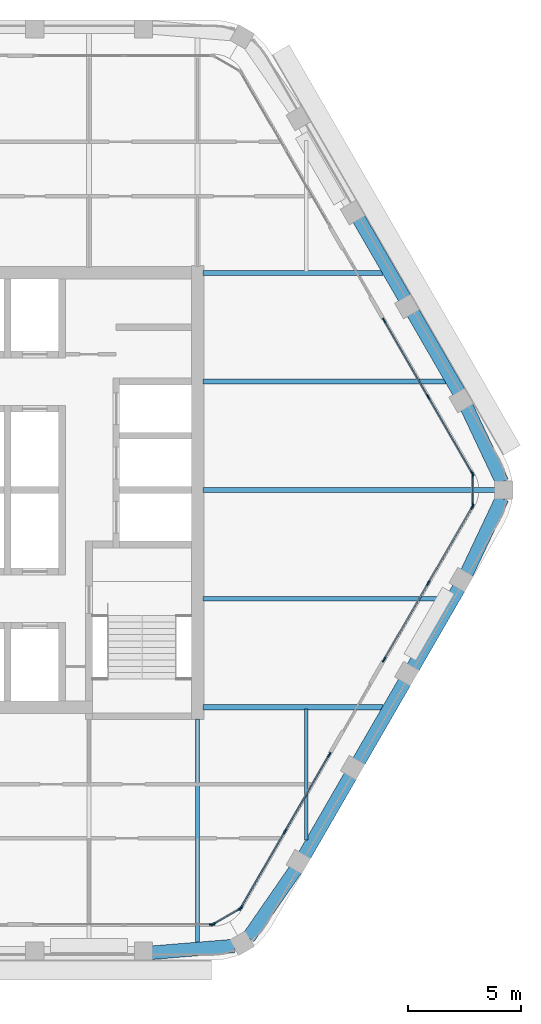
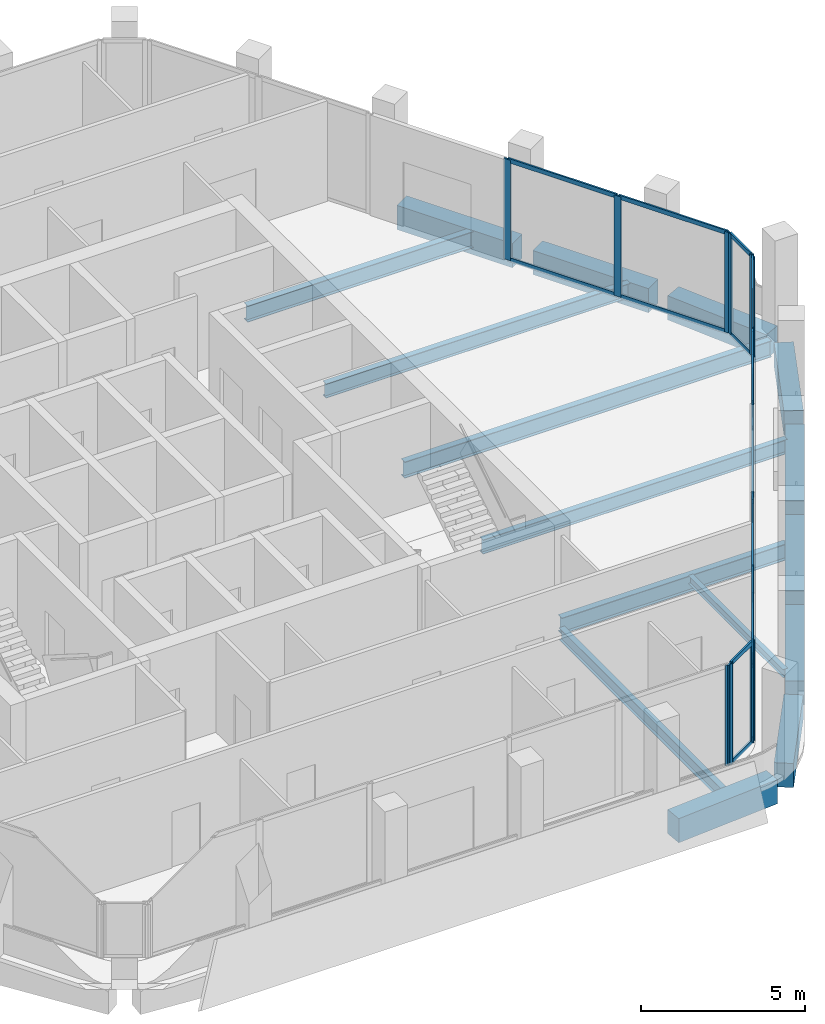
# One storey, part 4 of 13: 30 members, 16 beams, 6 elements without a shape of their own.
"""IFC4 building model written with IfcOpenShell, lengths in metres."""

from ifc_helpers import new_model, si_unit, direction, frame, origin, origin_2d, place, context, subcontext, project, spatial, rectangle, i_section, extrude, material, material_profile, profile_set, type_object, element, aggregate, save


model = new_model("IFC4")

# Units and contexts
model_context = context("Model", 3, precision=1e-05, world=origin(), true_north=direction((0.0, 1.0)))
body_context = subcontext(model_context, "Body", "Model", "MODEL_VIEW")
ifc_project = project(units=[si_unit("LENGTHUNIT", "METRE"), si_unit("AREAUNIT", "SQUARE_METRE"), si_unit("VOLUMEUNIT", "CUBIC_METRE"), si_unit("PLANEANGLEUNIT", "RADIAN"), si_unit("MASSUNIT", "GRAM", prefix="KILO")], contexts=[model_context])

# Site, building, storey
site_placement = place(None, origin())
site = spatial("IfcSite", under=ifc_project, at=site_placement, CompositionType="ELEMENT")
building_placement = place(site_placement, origin())
building = spatial("IfcBuilding", under=site, at=building_placement, Name="Kolab Exchange Tower", CompositionType="ELEMENT")
storey_placement = place(building_placement, frame((0.0, 0.0, 289.10009765625)))
storey = spatial("IfcBuildingStorey", under=building, at=storey_placement, Name="L65", CompositionType="ELEMENT", Elevation=289.10009765625)

# Beams
ifc_material_1 = material(Name="Steel S355", Category="steel")
ifc_material_profile_1 = material_profile(ifc_material_1, i_section(OverallWidth=0.1650390625, OverallDepth=0.31005859375, WebThickness=0.005859375, FlangeThickness=0.009765625, at=origin_2d()), Name="W310X39")
ifc_profile_set_1 = profile_set([ifc_material_profile_1], Name="Steel S355")
beam_type_1 = type_object("IfcBeamType", Name="FLOOR BEAM W310X39", PredefinedType="BEAM", material=ifc_profile_set_1)
beam_1_placement = place(storey_placement, frame((14.39990234375, -15.4677734375, -0.30517578125), z_axis=(0.0, 1.0, 0.0), x_axis=(-1.0, 0.0, 0.0)))
element("IfcBeam", 1, at=beam_1_placement, inside=storey, type_object=beam_type_1, Name="beam/L65/fr/018", PredefinedType="BEAM", context=body_context, shape_type="SweptSolid", body=[
    extrude(i_section(OverallWidth=0.1650390625, OverallDepth=0.31005859375, WebThickness=0.005859375, FlangeThickness=0.009765625, at=origin_2d()), origin(), (0.0, 0.0, 1.0), 5.793701171875),
])
ifc_material_profile_2 = material_profile(ifc_material_1, i_section(OverallWidth=0.18994140625, OverallDepth=0.45703125, WebThickness=0.009033203125, FlangeThickness=0.014404296875, at=origin_2d()), Name="W460X74")
ifc_profile_set_2 = profile_set([ifc_material_profile_2], Name="Steel S355")
beam_type_2 = type_object("IfcBeamType", Name="FLOOR BEAM W460X74", PredefinedType="BEAM", material=ifc_profile_set_2)
beam_2_placement = place(storey_placement, frame((9.60009765625, -20.027099609375, -0.378662109375), z_axis=(0.0, 1.0, 0.0), x_axis=(-1.0, 0.0, 0.0)))
element("IfcBeam", 2, at=beam_2_placement, inside=storey, type_object=beam_type_2, Name="beam/L65/fr/013", PredefinedType="BEAM", context=body_context, shape_type="SweptSolid", body=[
    extrude(i_section(OverallWidth=0.18994140625, OverallDepth=0.45703125, WebThickness=0.009033203125, FlangeThickness=0.014404296875, at=origin_2d()), origin(), (0.0, 0.0, 1.0), 9.9169921875),
])
ifc_material_profile_3 = material_profile(ifc_material_1, i_section(OverallWidth=0.208984375, OverallDepth=0.532958984375, WebThickness=0.01025390625, FlangeThickness=0.015625, at=origin_2d()), Name="W530X92")
ifc_profile_set_3 = profile_set([ifc_material_profile_3], Name="Steel S355")
beam_type_3 = type_object("IfcBeamType", Name="FLOOR BEAM W530X92", PredefinedType="BEAM", material=ifc_profile_set_3)
for number, where, z_axis, x_axis, name in (
    (3, (9.8349609375, -4.800048828125, -0.41650390625), (1.0, 0.0, 0.0), (0.0, 1.0, 0.0), "beam/L65/fr/015"),
    (4, (9.8349609375, 4.800048828125, -0.41650390625), (1.0, 0.0, 0.0), (0.0, 1.0, 0.0), "beam/L65/fr/017"),
):
    element("IfcBeam", number, at=place(storey_placement, frame(where, z_axis=z_axis, x_axis=x_axis)), inside=storey, type_object=beam_type_3, Name=name, PredefinedType="BEAM", context=body_context, shape_type="SweptSolid", body=[
        extrude(i_section(OverallWidth=0.208984375, OverallDepth=0.532958984375, WebThickness=0.01025390625, FlangeThickness=0.015625, at=origin_2d()), origin(), (0.0, 0.0, 1.0), 10.740966796875),
    ])
ifc_material_profile_4 = material_profile(ifc_material_1, i_section(OverallWidth=0.22802734375, OverallDepth=0.60791015625, WebThickness=0.01123046875, FlangeThickness=0.017333984375, at=origin_2d()), Name="W610X113")
ifc_profile_set_4 = profile_set([ifc_material_profile_4], Name="Steel S355")
beam_type_4 = type_object("IfcBeamType", Name="FLOOR BEAM W610X113", PredefinedType="BEAM", material=ifc_profile_set_4)
beam_3_placement = place(storey_placement, frame((9.8349609375, 0.0, -0.4541015625), z_axis=(1.0, 0.0, 0.0), x_axis=(0.0, 1.0, 0.0)))
element("IfcBeam", 5, at=beam_3_placement, inside=storey, type_object=beam_type_4, Name="beam/L65/fr/016", PredefinedType="BEAM", context=body_context, shape_type="SweptSolid", body=[
    extrude(i_section(OverallWidth=0.22802734375, OverallDepth=0.60791015625, WebThickness=0.01123046875, FlangeThickness=0.017333984375, at=origin_2d()), origin(), (0.0, 0.0, 1.0), 12.94091796875),
])
ifc_material_profile_5 = material_profile(ifc_material_1, i_section(OverallWidth=0.22802734375, OverallDepth=0.60791015625, WebThickness=0.01123046875, FlangeThickness=0.017333984375, at=origin_2d()), Name="W610X113")
ifc_profile_set_5 = profile_set([ifc_material_profile_5], Name="Steel S355")
beam_type_5 = type_object("IfcBeamType", Name="FLOOR GIRDER W610X113", PredefinedType="BEAM", material=ifc_profile_set_5)
for number, where, z_axis, x_axis, name in (
    (6, (9.8349609375, -9.60009765625, -0.4541015625), (1.0, 0.0, 0.0), (0.0, 1.0, 0.0), "beam/L65/gd/002"),
    (7, (9.8349609375, 9.60009765625, -0.4541015625), (1.0, 0.0, 0.0), (0.0, 1.0, 0.0), "beam/L65/gd/003"),
):
    element("IfcBeam", number, at=place(storey_placement, frame(where, z_axis=z_axis, x_axis=x_axis)), inside=storey, type_object=beam_type_5, Name=name, PredefinedType="BEAM", context=body_context, shape_type="SweptSolid", body=[
        extrude(i_section(OverallWidth=0.22802734375, OverallDepth=0.60791015625, WebThickness=0.01123046875, FlangeThickness=0.017333984375, at=origin_2d()), origin(), (0.0, 0.0, 1.0), 7.9697265625),
    ])
ifc_material_2 = material(Name="Concrete C50/60", Category="concrete")
ifc_material_profile_6 = material_profile(ifc_material_2, rectangle(XDim=0.60009765625, YDim=0.89990234375, at=origin_2d()), Name="RC600X900")
ifc_profile_set_6 = profile_set([ifc_material_profile_6], Name="Concrete C50/60")
beam_type_6 = type_object("IfcBeamType", Name="SPANDREL BEAM 600X900 C50/60", PredefinedType="BEAM", material=ifc_profile_set_6)
for number, where, z_axis, x_axis, name in (
    (8, (16.72021484375, 12.009033203125, -0.60009765625), (0.500000428765, -0.866025156237, 0.0), (0.866025156237, 0.500000428765, 0.0), "beam/L65/sp/F2-03"),
    (9, (19.1201171875, 7.85205078125, -0.60009765625), (0.500000428765, -0.866025156237, 0.0), (0.866025156237, 0.500000428765, 0.0), "beam/L65/sp/F2-04"),
):
    element("IfcBeam", number, at=place(storey_placement, frame(where, z_axis=z_axis, x_axis=x_axis)), inside=storey, type_object=beam_type_6, Name=name, PredefinedType="BEAM", context=body_context, shape_type="SweptSolid", body=[
        extrude(rectangle(XDim=0.60009765625, YDim=0.89990234375, at=origin_2d()), origin(), (0.0, 0.0, 1.0), 4.080078125),
    ])
for number, where, z_axis, x_axis, name in (
    (10, (21.49462890625, 3.68017578125, -0.60009765625), (0.427677251998, -0.903931506323, 0.0), (0.903931506323, 0.427677251998, 0.0), "beam/L65/sp/F2-05"),
    (11, (23.063720703125, -0.36376953125, -0.60009765625), (-0.427677251998, -0.903931506323, 0.0), (0.903931506323, -0.427677251998, 0.0), "beam/L65/sp/F3-01"),
):
    element("IfcBeam", number, at=place(storey_placement, frame(where, z_axis=z_axis, x_axis=x_axis)), inside=storey, type_object=beam_type_6, Name=name, PredefinedType="BEAM", context=body_context, shape_type="SweptSolid", body=[
        extrude(rectangle(XDim=0.60009765625, YDim=0.89990234375, at=origin_2d()), origin(), (0.0, 0.0, 1.0), 3.6689453125),
    ])
for number, where, z_axis, x_axis, name in (
    (12, (21.16015625, -4.318603515625, -0.60009765625), (-0.500000428765, -0.866025156237, 0.0), (0.866025156237, -0.500000428765, 0.0), "beam/L65/sp/F3-02"),
    (13, (18.76025390625, -8.4755859375, -0.60009765625), (-0.500000428765, -0.866025156237, 0.0), (0.866025156237, -0.500000428765, 0.0), "beam/L65/sp/F3-03"),
):
    element("IfcBeam", number, at=place(storey_placement, frame(where, z_axis=z_axis, x_axis=x_axis)), inside=storey, type_object=beam_type_6, Name=name, PredefinedType="BEAM", context=body_context, shape_type="SweptSolid", body=[
        extrude(rectangle(XDim=0.60009765625, YDim=0.89990234375, at=origin_2d()), origin(), (0.0, 0.0, 1.0), 4.080078125),
    ])
beam_4_placement = place(storey_placement, frame((16.360107421875, -12.632568359375, -0.60009765625), z_axis=(-0.499955548806, -0.866051066172, 0.0), x_axis=(0.866051066172, -0.499955548806, 0.0)))
element("IfcBeam", 14, at=beam_4_placement, inside=storey, type_object=beam_type_6, Name="beam/L65/sp/F3-04", PredefinedType="BEAM", context=body_context, shape_type="SweptSolid", body=[
    extrude(rectangle(XDim=0.60009765625, YDim=0.89990234375, at=origin_2d()), origin(), (0.0, 0.0, 1.0), 4.079833984375),
])
for number, where, z_axis, x_axis, name in (
    (15, (13.9345703125, -16.77490234375, -0.60009765625), (-0.569005808573, -0.822333502789, 0.0), (0.822333502789, -0.569005808573, 0.0), "beam/L65/sp/F3-05"),
    (16, (11.216796875, -20.15576171875, -0.60009765625), (-0.996666751878, -0.081580547323, 0.0), (0.081580547323, -0.996666751878, 0.0), "beam/L65/sp/F4-01"),
):
    element("IfcBeam", number, at=place(storey_placement, frame(where, z_axis=z_axis, x_axis=x_axis)), inside=storey, type_object=beam_type_6, Name=name, PredefinedType="BEAM", context=body_context, shape_type="SweptSolid", body=[
        extrude(rectangle(XDim=0.60009765625, YDim=0.89990234375, at=origin_2d()), origin(), (0.0, 0.0, 1.0), 3.6689453125),
    ])

# Curtain wall, members
ifc_material_3 = material(Name="Aluminium EN AW-6063 T6", Category="aluminium")
curtain_wall_type = type_object("IfcCurtainWallType", Name="UNITISED HIGH ZONE CURTAIN WALL", PredefinedType="NOTDEFINED", material=ifc_material_3)
curtain_wall_1_placement = place(storey_placement, origin())
curtain_wall_1 = element("IfcCurtainWall", 17, at=curtain_wall_1_placement, inside=storey, type_object=curtain_wall_type, Name="cw/L65/F2-2", PredefinedType="NOTDEFINED")
ifc_material_profile_7 = material_profile(ifc_material_3, rectangle(XDim=0.06005859375, YDim=0.239990234375, at=origin_2d()), Name="RECT 60X240")
ifc_profile_set_7 = profile_set([ifc_material_profile_7], Name="Aluminium EN AW-6063 T6")
member_type_1 = type_object("IfcMemberType", Name="UNITISED HIGH ZONE MULLION 60 X 240", PredefinedType="MULLION", material=ifc_profile_set_7)
member_1_placement = place(storey_placement, frame((17.8466796875, 7.497802734375, 0.0), z_axis=(0.0, 0.0, 1.0), x_axis=(0.866025440524, 0.499999936366, 0.0)))
member_1 = element("IfcMember", 18, at=member_1_placement, type_object=member_type_1, Name="CW4 mullion 1", PredefinedType="MULLION", context=body_context, shape_type="SweptSolid", body=[
    extrude(rectangle(XDim=0.06005859375, YDim=0.239990234375, at=origin_2d()), origin(), (0.0, 0.0, 1.0), 3.75),
])
member_2_placement = place(storey_placement, frame((19.798583984375, 4.116943359375, 0.0), z_axis=(0.0, 0.0, 1.0), x_axis=(0.866025440524, 0.499999936366, 0.0)))
member_2 = element("IfcMember", 19, at=member_2_placement, type_object=member_type_1, Name="CW4 mullion 2", PredefinedType="MULLION", context=body_context, shape_type="SweptSolid", body=[
    extrude(rectangle(XDim=0.06005859375, YDim=0.239990234375, at=origin_2d()), origin(), (0.0, 0.0, 1.0), 3.75),
])
member_3_placement = place(storey_placement, frame((21.750732421875, 0.736083984375, 0.0), z_axis=(0.0, 0.0, 1.0), x_axis=(0.866025440524, 0.499999936366, 0.0)))
member_3 = element("IfcMember", 20, at=member_3_placement, type_object=member_type_1, Name="CW4 mullion 3", PredefinedType="MULLION", context=body_context, shape_type="SweptSolid", body=[
    extrude(rectangle(XDim=0.06005859375, YDim=0.239990234375, at=origin_2d()), origin(), (0.0, 0.0, 1.0), 3.75),
])

curtain_wall_2_placement = place(storey_placement, origin())
curtain_wall_2 = element("IfcCurtainWall", 21, at=curtain_wall_2_placement, inside=storey, type_object=curtain_wall_type, Name="cw/L65/F3-1", PredefinedType="NOTDEFINED")
member_4_placement = place(storey_placement, frame((21.750732421875, -0.736083984375, 0.0), z_axis=(0.0, 0.0, 1.0), x_axis=(0.866025440524, -0.499999936366, 0.0)))
member_4 = element("IfcMember", 22, at=member_4_placement, type_object=member_type_1, Name="CW4 mullion 1", PredefinedType="MULLION", context=body_context, shape_type="SweptSolid", body=[
    extrude(rectangle(XDim=0.06005859375, YDim=0.239990234375, at=origin_2d()), origin(), (0.0, 0.0, 1.0), 3.75),
])
member_5_placement = place(storey_placement, frame((19.798583984375, -4.116943359375, 0.0), z_axis=(0.0, 0.0, 1.0), x_axis=(0.866025440524, -0.499999936366, 0.0)))
member_5 = element("IfcMember", 23, at=member_5_placement, type_object=member_type_1, Name="CW4 mullion 2", PredefinedType="MULLION", context=body_context, shape_type="SweptSolid", body=[
    extrude(rectangle(XDim=0.06005859375, YDim=0.239990234375, at=origin_2d()), origin(), (0.0, 0.0, 1.0), 3.75),
])
member_6_placement = place(storey_placement, frame((17.8466796875, -7.497802734375, 0.0), z_axis=(0.0, 0.0, 1.0), x_axis=(0.866025440524, -0.499999936366, 0.0)))
member_6 = element("IfcMember", 24, at=member_6_placement, type_object=member_type_1, Name="CW4 mullion 3", PredefinedType="MULLION", context=body_context, shape_type="SweptSolid", body=[
    extrude(rectangle(XDim=0.06005859375, YDim=0.239990234375, at=origin_2d()), origin(), (0.0, 0.0, 1.0), 3.75),
])

curtain_wall_3_placement = place(storey_placement, origin())
curtain_wall_3 = element("IfcCurtainWall", 25, at=curtain_wall_3_placement, inside=storey, type_object=curtain_wall_type, Name="cw/L65/F3-2", PredefinedType="NOTDEFINED")
member_7_placement = place(storey_placement, frame((15.416748046875, -11.706787109375, 0.0), z_axis=(0.0, 0.0, 1.0), x_axis=(0.866025385493, -0.500000031681, 0.0)))
member_7 = element("IfcMember", 26, at=member_7_placement, type_object=member_type_1, Name="CW4 mullion 1", PredefinedType="MULLION", context=body_context, shape_type="SweptSolid", body=[
    extrude(rectangle(XDim=0.06005859375, YDim=0.239990234375, at=origin_2d()), origin(), (0.0, 0.0, 1.0), 3.75),
])
member_8_placement = place(storey_placement, frame((13.464599609375, -15.087646484375, 0.0), z_axis=(0.0, 0.0, 1.0), x_axis=(0.866025385493, -0.500000031681, 0.0)))
member_8 = element("IfcMember", 27, at=member_8_placement, type_object=member_type_1, Name="CW4 mullion 2", PredefinedType="MULLION", context=body_context, shape_type="SweptSolid", body=[
    extrude(rectangle(XDim=0.06005859375, YDim=0.239990234375, at=origin_2d()), origin(), (0.0, 0.0, 1.0), 3.75),
])
member_9_placement = place(storey_placement, frame((11.5126953125, -18.46875, 0.0), z_axis=(0.0, 0.0, 1.0), x_axis=(0.866025385493, -0.500000031681, 0.0)))
member_9 = element("IfcMember", 28, at=member_9_placement, type_object=member_type_1, Name="CW4 mullion 3", PredefinedType="MULLION", context=body_context, shape_type="SweptSolid", body=[
    extrude(rectangle(XDim=0.06005859375, YDim=0.239990234375, at=origin_2d()), origin(), (0.0, 0.0, 1.0), 3.75),
])

# Curtain wall, member
curtain_wall_4_placement = place(storey_placement, origin())
curtain_wall_4 = element("IfcCurtainWall", 29, at=curtain_wall_4_placement, inside=storey, type_object=curtain_wall_type, Name="cw/L65/F4-1", PredefinedType="NOTDEFINED")
member_10_placement = place(storey_placement, frame((10.238037109375, -19.20458984375, 0.0), z_axis=(0.0, 0.0, 1.0), x_axis=(0.0, -1.0, 0.0)))
member_10 = element("IfcMember", 30, at=member_10_placement, type_object=member_type_1, Name="CW4 mullion 1", PredefinedType="MULLION", context=body_context, shape_type="SweptSolid", body=[
    extrude(rectangle(XDim=0.06005859375, YDim=0.239990234375, at=origin_2d()), origin(), (0.0, 0.0, 1.0), 3.75),
])
aggregate(curtain_wall_4, [member_10])

# Curtain wall, members
curtain_wall_5_placement = place(storey_placement, origin())
curtain_wall_5 = element("IfcCurtainWall", 31, at=curtain_wall_5_placement, inside=storey, type_object=curtain_wall_type, Name="cw/L65/F2F3-corner", PredefinedType="NOTDEFINED")
member_11_placement = place(storey_placement, frame((21.765625, 0.679931640625, 0.0), z_axis=(0.0, 0.0, 1.0), x_axis=(1.0, 0.0, 0.0)))
member_11 = element("IfcMember", 32, at=member_11_placement, type_object=member_type_1, Name="CW4 mullion 1", PredefinedType="MULLION", context=body_context, shape_type="SweptSolid", body=[
    extrude(rectangle(XDim=0.06005859375, YDim=0.239990234375, at=origin_2d()), origin(), (0.0, 0.0, 1.0), 3.75),
])
member_12_placement = place(storey_placement, frame((21.765625, -0.679931640625, 0.0), z_axis=(0.0, 0.0, 1.0), x_axis=(1.0, 0.0, 0.0)))
member_12 = element("IfcMember", 33, at=member_12_placement, type_object=member_type_1, Name="CW4 mullion 2", PredefinedType="MULLION", context=body_context, shape_type="SweptSolid", body=[
    extrude(rectangle(XDim=0.06005859375, YDim=0.239990234375, at=origin_2d()), origin(), (0.0, 0.0, 1.0), 3.75),
])

curtain_wall_6_placement = place(storey_placement, origin())
curtain_wall_6 = element("IfcCurtainWall", 34, at=curtain_wall_6_placement, inside=storey, type_object=curtain_wall_type, Name="cw/L65/F3F4-corner", PredefinedType="NOTDEFINED")
member_13_placement = place(storey_placement, frame((11.4716796875, -18.509521484375, 0.0), z_axis=(0.0, 0.0, 1.0), x_axis=(0.50000002237, -0.866025390869, 0.0)))
member_13 = element("IfcMember", 35, at=member_13_placement, type_object=member_type_1, Name="CW4 mullion 1", PredefinedType="MULLION", context=body_context, shape_type="SweptSolid", body=[
    extrude(rectangle(XDim=0.06005859375, YDim=0.239990234375, at=origin_2d()), origin(), (0.0, 0.0, 1.0), 3.75),
])
member_14_placement = place(storey_placement, frame((10.2939453125, -19.189697265625, 0.0), z_axis=(0.0, 0.0, 1.0), x_axis=(0.50000002237, -0.866025390869, 0.0)))
member_14 = element("IfcMember", 36, at=member_14_placement, type_object=member_type_1, Name="CW4 mullion 2", PredefinedType="MULLION", context=body_context, shape_type="SweptSolid", body=[
    extrude(rectangle(XDim=0.06005859375, YDim=0.239990234375, at=origin_2d()), origin(), (0.0, 0.0, 1.0), 3.75),
])

# Member
ifc_material_profile_8 = material_profile(ifc_material_3, rectangle(XDim=0.06005859375, YDim=0.159912109375, at=origin_2d()), Name="RECT 60X160")
ifc_profile_set_8 = profile_set([ifc_material_profile_8], Name="Aluminium EN AW-6063 T6")
member_type_2 = type_object("IfcMemberType", Name="UNITISED HIGH ZONE TRANSOM 60 X 160", PredefinedType="USERDEFINED", material=ifc_profile_set_8)
member_15_placement = place(storey_placement, frame((17.861572265625, 7.471923828125, 0.02978515625), z_axis=(0.500011990396, -0.866018481016, 0.0), x_axis=(0.866018481016, 0.500011990396, 0.0)))
member_15 = element("IfcMember", 37, at=member_15_placement, type_object=member_type_2, Name="CW4 transom 1.1", ObjectType="TRANSOM", PredefinedType="USERDEFINED", context=body_context, shape_type="SweptSolid", body=[
    extrude(rectangle(XDim=0.06005859375, YDim=0.159912109375, at=origin_2d()), origin(), (0.0, 0.0, 1.0), 3.84423828125),
])

member_16_placement = place(storey_placement, frame((17.861572265625, 7.471923828125, 3.719970703125), z_axis=(0.500011990396, -0.866018481016, 0.0), x_axis=(0.866018481016, 0.500011990396, 0.0)))
member_16 = element("IfcMember", 38, at=member_16_placement, type_object=member_type_2, Name="CW4 transom 1.2", ObjectType="TRANSOM", PredefinedType="USERDEFINED", context=body_context, shape_type="SweptSolid", body=[
    extrude(rectangle(XDim=0.06005859375, YDim=0.159912109375, at=origin_2d()), origin(), (0.0, 0.0, 1.0), 3.84423828125),
])

member_17_placement = place(storey_placement, frame((19.813720703125, 4.0908203125, 0.02978515625), z_axis=(0.499991857942, -0.866030104553, 0.0), x_axis=(0.866030104553, 0.499991857942, 0.0)))
member_17 = element("IfcMember", 39, at=member_17_placement, type_object=member_type_2, Name="CW4 transom 2.1", ObjectType="TRANSOM", PredefinedType="USERDEFINED", context=body_context, shape_type="SweptSolid", body=[
    extrude(rectangle(XDim=0.06005859375, YDim=0.159912109375, at=origin_2d()), origin(), (0.0, 0.0, 1.0), 3.84375),
])

member_18_placement = place(storey_placement, frame((19.813720703125, 4.0908203125, 3.719970703125), z_axis=(0.499991857942, -0.866030104553, 0.0), x_axis=(0.866030104553, 0.499991857942, 0.0)))
member_18 = element("IfcMember", 40, at=member_18_placement, type_object=member_type_2, Name="CW4 transom 2.2", ObjectType="TRANSOM", PredefinedType="USERDEFINED", context=body_context, shape_type="SweptSolid", body=[
    extrude(rectangle(XDim=0.06005859375, YDim=0.159912109375, at=origin_2d()), origin(), (0.0, 0.0, 1.0), 3.84375),
])

aggregate(curtain_wall_1, [member_1, member_2, member_3, member_15, member_16, member_17, member_18])

member_19_placement = place(storey_placement, frame((21.735595703125, -0.761962890625, 0.02978515625), z_axis=(-0.499991857942, -0.866030104553, 0.0), x_axis=(0.866030104553, -0.499991857942, 0.0)))
member_19 = element("IfcMember", 41, at=member_19_placement, type_object=member_type_2, Name="CW4 transom 1.1", ObjectType="TRANSOM", PredefinedType="USERDEFINED", context=body_context, shape_type="SweptSolid", body=[
    extrude(rectangle(XDim=0.06005859375, YDim=0.159912109375, at=origin_2d()), origin(), (0.0, 0.0, 1.0), 3.84375),
])

member_20_placement = place(storey_placement, frame((21.735595703125, -0.761962890625, 3.719970703125), z_axis=(-0.499991857942, -0.866030104553, 0.0), x_axis=(0.866030104553, -0.499991857942, 0.0)))
member_20 = element("IfcMember", 42, at=member_20_placement, type_object=member_type_2, Name="CW4 transom 1.2", ObjectType="TRANSOM", PredefinedType="USERDEFINED", context=body_context, shape_type="SweptSolid", body=[
    extrude(rectangle(XDim=0.06005859375, YDim=0.159912109375, at=origin_2d()), origin(), (0.0, 0.0, 1.0), 3.84375),
])

member_21_placement = place(storey_placement, frame((19.78369140625, -4.142822265625, 0.02978515625), z_axis=(-0.500011990396, -0.866018481016, 0.0), x_axis=(0.866018481016, -0.500011990396, 0.0)))
member_21 = element("IfcMember", 43, at=member_21_placement, type_object=member_type_2, Name="CW4 transom 2.1", ObjectType="TRANSOM", PredefinedType="USERDEFINED", context=body_context, shape_type="SweptSolid", body=[
    extrude(rectangle(XDim=0.06005859375, YDim=0.159912109375, at=origin_2d()), origin(), (0.0, 0.0, 1.0), 3.84423828125),
])

member_22_placement = place(storey_placement, frame((19.78369140625, -4.142822265625, 3.719970703125), z_axis=(-0.500011990396, -0.866018481016, 0.0), x_axis=(0.866018481016, -0.500011990396, 0.0)))
member_22 = element("IfcMember", 44, at=member_22_placement, type_object=member_type_2, Name="CW4 transom 2.2", ObjectType="TRANSOM", PredefinedType="USERDEFINED", context=body_context, shape_type="SweptSolid", body=[
    extrude(rectangle(XDim=0.06005859375, YDim=0.159912109375, at=origin_2d()), origin(), (0.0, 0.0, 1.0), 3.84423828125),
])

aggregate(curtain_wall_2, [member_4, member_5, member_6, member_19, member_20, member_21, member_22])

member_23_placement = place(storey_placement, frame((15.401611328125, -11.732666015625, 0.02978515625), z_axis=(-0.499964356602, -0.866045981532, 0.0), x_axis=(0.866045981532, -0.499964356602, 0.0)))
member_23 = element("IfcMember", 45, at=member_23_placement, type_object=member_type_2, Name="CW4 transom 1.1", ObjectType="TRANSOM", PredefinedType="USERDEFINED", context=body_context, shape_type="SweptSolid", body=[
    extrude(rectangle(XDim=0.06005859375, YDim=0.159912109375, at=origin_2d()), origin(), (0.0, 0.0, 1.0), 3.843994140625),
])

member_24_placement = place(storey_placement, frame((15.401611328125, -11.732666015625, 3.719970703125), z_axis=(-0.499964356602, -0.866045981532, 0.0), x_axis=(0.866045981532, -0.499964356602, 0.0)))
member_24 = element("IfcMember", 46, at=member_24_placement, type_object=member_type_2, Name="CW4 transom 1.2", ObjectType="TRANSOM", PredefinedType="USERDEFINED", context=body_context, shape_type="SweptSolid", body=[
    extrude(rectangle(XDim=0.06005859375, YDim=0.159912109375, at=origin_2d()), origin(), (0.0, 0.0, 1.0), 3.843994140625),
])

member_25_placement = place(storey_placement, frame((13.44970703125, -15.11376953125, 0.02978515625), z_axis=(-0.500039492609, -0.866002601515, 0.0), x_axis=(0.866002601515, -0.500039492609, 0.0)))
member_25 = element("IfcMember", 47, at=member_25_placement, type_object=member_type_2, Name="CW4 transom 2.1", ObjectType="TRANSOM", PredefinedType="USERDEFINED", context=body_context, shape_type="SweptSolid", body=[
    extrude(rectangle(XDim=0.06005859375, YDim=0.159912109375, at=origin_2d()), origin(), (0.0, 0.0, 1.0), 3.843994140625),
])

member_26_placement = place(storey_placement, frame((13.44970703125, -15.11376953125, 3.719970703125), z_axis=(-0.500039492609, -0.866002601515, 0.0), x_axis=(0.866002601515, -0.500039492609, 0.0)))
member_26 = element("IfcMember", 48, at=member_26_placement, type_object=member_type_2, Name="CW4 transom 2.2", ObjectType="TRANSOM", PredefinedType="USERDEFINED", context=body_context, shape_type="SweptSolid", body=[
    extrude(rectangle(XDim=0.06005859375, YDim=0.159912109375, at=origin_2d()), origin(), (0.0, 0.0, 1.0), 3.843994140625),
])

aggregate(curtain_wall_3, [member_7, member_8, member_9, member_23, member_24, member_25, member_26])

member_27_placement = place(storey_placement, frame((21.765625, 0.64990234375, 0.02978515625), z_axis=(0.0, -1.0, 0.0), x_axis=(1.0, 0.0, 0.0)))
member_27 = element("IfcMember", 49, at=member_27_placement, type_object=member_type_2, Name="CW4 transom 1.1", ObjectType="TRANSOM", PredefinedType="USERDEFINED", context=body_context, shape_type="SweptSolid", body=[
    extrude(rectangle(XDim=0.06005859375, YDim=0.159912109375, at=origin_2d()), origin(), (0.0, 0.0, 1.0), 1.2998046875),
])

member_28_placement = place(storey_placement, frame((21.765625, 0.64990234375, 3.719970703125), z_axis=(0.0, -1.0, 0.0), x_axis=(1.0, 0.0, 0.0)))
member_28 = element("IfcMember", 50, at=member_28_placement, type_object=member_type_2, Name="CW4 transom 1.2", ObjectType="TRANSOM", PredefinedType="USERDEFINED", context=body_context, shape_type="SweptSolid", body=[
    extrude(rectangle(XDim=0.06005859375, YDim=0.159912109375, at=origin_2d()), origin(), (0.0, 0.0, 1.0), 1.2998046875),
])

aggregate(curtain_wall_5, [member_11, member_12, member_27, member_28])

member_29_placement = place(storey_placement, frame((11.44580078125, -18.524658203125, 0.02978515625), z_axis=(-0.866085525409, -0.49989585183, 0.0), x_axis=(0.49989585183, -0.866085525409, 0.0)))
member_29 = element("IfcMember", 51, at=member_29_placement, type_object=member_type_2, Name="CW4 transom 1.1", ObjectType="TRANSOM", PredefinedType="USERDEFINED", context=body_context, shape_type="SweptSolid", body=[
    extrude(rectangle(XDim=0.06005859375, YDim=0.159912109375, at=origin_2d()), origin(), (0.0, 0.0, 1.0), 1.300048828125),
])

member_30_placement = place(storey_placement, frame((11.44580078125, -18.524658203125, 3.719970703125), z_axis=(-0.866085525409, -0.49989585183, 0.0), x_axis=(0.49989585183, -0.866085525409, 0.0)))
member_30 = element("IfcMember", 52, at=member_30_placement, type_object=member_type_2, Name="CW4 transom 1.2", ObjectType="TRANSOM", PredefinedType="USERDEFINED", context=body_context, shape_type="SweptSolid", body=[
    extrude(rectangle(XDim=0.06005859375, YDim=0.159912109375, at=origin_2d()), origin(), (0.0, 0.0, 1.0), 1.300048828125),
])

aggregate(curtain_wall_6, [member_13, member_14, member_29, member_30])

save(model, "model.ifc")
